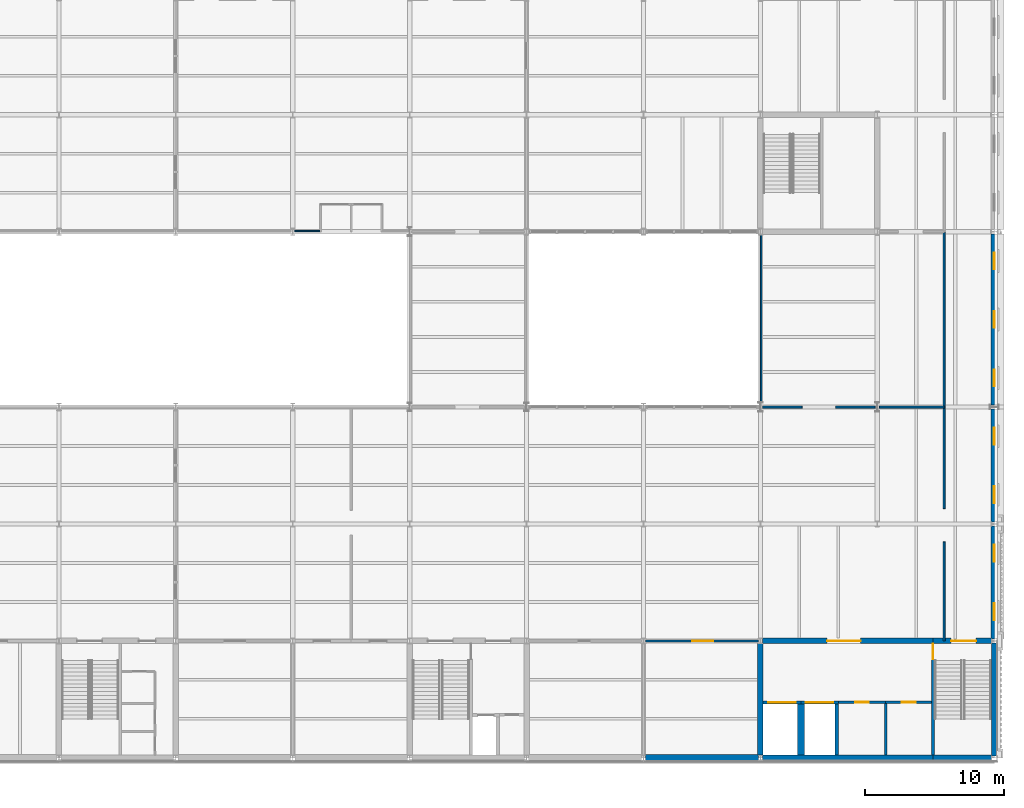
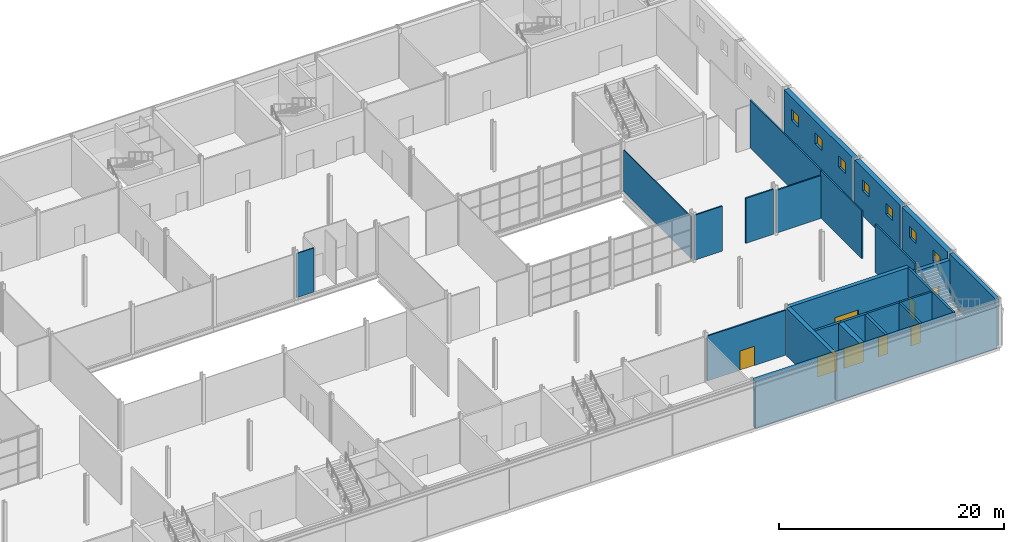
# One storey, part 33 of 57: 27 walls, 8 doors, 7 windows, 15 openings.
"""IFC4 building model written with IfcOpenShell, lengths in metres."""

from ifc_helpers import new_model, si_unit, direction, frame, frame_2d, origin, place, context, subcontext, project, spatial, rectangle, extrude, material, layer, layer_set, type_object, element, fill, save


model = new_model("IFC4")

# Units and contexts
model_context = context("Model", 3, precision=1e-05, world=origin(), true_north=direction((0.0, 1.0)))
body_context = subcontext(model_context, "Body", "Model", "MODEL_VIEW")
ifc_project = project(units=[si_unit("LENGTHUNIT", "METRE"), si_unit("AREAUNIT", "SQUARE_METRE"), si_unit("VOLUMEUNIT", "CUBIC_METRE"), si_unit("PLANEANGLEUNIT", "RADIAN"), si_unit("MASSUNIT", "GRAM", prefix="KILO")], contexts=[model_context])

# Site, building, storey
site_placement = place(None, origin())
site = spatial("IfcSite", under=ifc_project, at=site_placement, CompositionType="ELEMENT")
building_placement = place(site_placement, origin())
building = spatial("IfcBuilding", under=site, at=building_placement, Name="Galleria Vessillo Department Store", CompositionType="ELEMENT")
storey_placement = place(building_placement, frame((0.0, 0.0, 25.800048828125)))
storey = spatial("IfcBuildingStorey", under=building, at=storey_placement, Name="L05", CompositionType="ELEMENT", Elevation=25.800048828125)

# Walls
ifc_material_1 = material(Name="Fire-resisting glass in steel frame S355 J2", Category="steel")
ifc_layer_1 = layer(ifc_material_1, 0.10009765625)
ifc_layer_set_1 = layer_set([ifc_layer_1], Name="Fire-resisting glass in steel frame S355 J2")
wall_type_1 = type_object("IfcWallType", Name="Fire-resisting glazed screen EI 120-Sa 100 mm", PredefinedType="PARTITIONING", material=ifc_layer_set_1)
wall_1_placement = place(storey_placement, frame((67.35302734375, 37.85009765625, 0.0), z_axis=(0.0, 0.0, 1.0), x_axis=(1.0, 0.0, 0.0)))
element("IfcWall", 1, at=wall_1_placement, inside=storey, type_object=wall_type_1, Name="Fire screen, atrium edge L05", PredefinedType="PARTITIONING", context=body_context, shape_type="SweptSolid", body=[
    extrude(rectangle(XDim=1.797119140625, YDim=0.10009765625, at=frame_2d((0.8984375, 0.0))), origin(), (0.0, 0.0, 1.0), 4.809814453125),
])
wall_2_placement = place(storey_placement, frame((100.85009765625, 25.533935546875, 0.0), z_axis=(0.0, 0.0, 1.0), x_axis=(0.0, 1.0, 0.0)))
element("IfcWall", 2, at=wall_2_placement, inside=storey, type_object=wall_type_1, Name="Fire screen, arcade end L05", PredefinedType="PARTITIONING", context=body_context, shape_type="SweptSolid", body=[
    extrude(rectangle(XDim=12.027099609375, YDim=0.10009765625, at=frame_2d((6.013671875, 0.0))), origin(), (0.0, 0.0, 1.0), 4.510009765625),
])
ifc_material_2 = material(Name="Solid clay block masonry", Category="masonry")
ifc_layer_2 = layer(ifc_material_2, 0.5)
ifc_layer_set_2 = layer_set([ifc_layer_2], Name="Solid clay block masonry")
wall_type_2 = type_object("IfcWallType", Name="Lift shaft partition wall 500 mm", PredefinedType="SOLIDWALL", material=ifc_layer_set_2)
wall_3_placement = place(storey_placement, frame((103.699951171875, 0.199951171875, 0.0), z_axis=(0.0, 0.0, 1.0), x_axis=(0.0, 1.0, 0.0)))
element("IfcWall", 3, at=wall_3_placement, inside=storey, type_object=wall_type_2, Name="Lift shaft partition wall GL1 L05", PredefinedType="SOLIDWALL", context=body_context, shape_type="SweptSolid", body=[
    extrude(rectangle(XDim=3.650146484375, YDim=0.5, at=frame_2d((1.8251953125, 0.0))), origin(), (0.0, 0.0, 1.0), 5.199951171875),
])

# Wall, opening, door
ifc_material_3 = material(Name="Solid clay block masonry", Category="masonry")
ifc_layer_3 = layer(ifc_material_3, 0.25)
ifc_layer_set_3 = layer_set([ifc_layer_3], Name="Solid clay block masonry")
wall_type_3 = type_object("IfcWallType", Name="Lift shaft wall 250 mm", PredefinedType="SOLIDWALL", material=ifc_layer_set_3)
wall_4_placement = place(storey_placement, frame((101.0, 3.97509765625, 0.0), z_axis=(0.0, 0.0, 1.0), x_axis=(1.0, 0.0, 0.0)))
wall_4 = element("IfcWall", 4, at=wall_4_placement, inside=storey, type_object=wall_type_3, Name="Lift shaft wall GL1 landing side L05", PredefinedType="SOLIDWALL", context=body_context, shape_type="SweptSolid", body=[
    extrude(rectangle(XDim=2.699951171875, YDim=0.25, at=frame_2d((1.35009765625, 0.0))), origin(), (0.0, 0.0, 1.0), 5.199951171875),
])
opening_1_placement = place(wall_4_placement, frame((0.35009765625, 0.0, 0.0)))
opening_1 = element("IfcOpeningElement", 5, at=opening_1_placement, cuts=wall_4, Name="Opening LD063", PredefinedType="OPENING", context=body_context, shape_type="SweptSolid", body=[
    extrude(rectangle(XDim=2.0, YDim=2.199951171875, at=frame_2d((1.0, 1.10009765625))), frame((0.0, 0.135009765625, 0.0), z_axis=(0.0, -1.0, 0.0), x_axis=(1.0, 0.0, 0.0)), (0.0, 0.0, 1.0), 0.27001953125),
])
ifc_material_4 = material(Name="Stainless steel lift door panel", Category="steel")
door_type_1 = type_object("IfcDoorType", Name="Lift landing door LD200 sliding 2000 x 2200", OperationType="DOUBLE_DOOR_SLIDING", PredefinedType="DOOR", material=ifc_material_4)
door_1_placement = place(opening_1_placement, origin())
door_1 = element("IfcDoor", 6, at=door_1_placement, inside=storey, type_object=door_type_1, Name="Lift landing door GL1 L05", OperationType="DOUBLE_DOOR_SLIDING", OverallHeight=2.199951171875, OverallWidth=2.0, PredefinedType="DOOR", context=body_context, shape_type="SweptSolid", body=[
    extrude(rectangle(XDim=2.0, YDim=2.199951171875, at=frame_2d((1.0, 1.10009765625))), frame((0.0, 0.02490234375, 0.0), z_axis=(0.0, -1.0, 0.0), x_axis=(1.0, 0.0, 0.0)), (0.0, 0.0, 1.0), 0.050048828125),
])
fill(opening_1, door_1)

wall_5_placement = place(storey_placement, frame((103.699951171875, 3.97509765625, 0.0), z_axis=(0.0, 0.0, 1.0), x_axis=(1.0, 0.0, 0.0)))
wall_5 = element("IfcWall", 7, at=wall_5_placement, inside=storey, type_object=wall_type_3, Name="Lift shaft wall GL2 landing side L05", PredefinedType="SOLIDWALL", context=body_context, shape_type="SweptSolid", body=[
    extrude(rectangle(XDim=2.699951171875, YDim=0.25, at=frame_2d((1.35009765625, 0.0))), origin(), (0.0, 0.0, 1.0), 5.199951171875),
])
opening_2_placement = place(wall_5_placement, frame((0.35009765625, 0.0, 0.0)))
opening_2 = element("IfcOpeningElement", 8, at=opening_2_placement, cuts=wall_5, Name="Opening LD064", PredefinedType="OPENING", context=body_context, shape_type="SweptSolid", body=[
    extrude(rectangle(XDim=2.0, YDim=2.199951171875, at=frame_2d((1.0, 1.10009765625))), frame((0.0, 0.135009765625, 0.0), z_axis=(0.0, -1.0, 0.0), x_axis=(1.0, 0.0, 0.0)), (0.0, 0.0, 1.0), 0.27001953125),
])
door_2_placement = place(opening_2_placement, origin())
door_2 = element("IfcDoor", 9, at=door_2_placement, inside=storey, type_object=door_type_1, Name="Lift landing door GL2 L05", OperationType="DOUBLE_DOOR_SLIDING", OverallHeight=2.199951171875, OverallWidth=2.0, PredefinedType="DOOR", context=body_context, shape_type="SweptSolid", body=[
    extrude(rectangle(XDim=2.0, YDim=2.199951171875, at=frame_2d((1.0, 1.10009765625))), frame((0.0, 0.02490234375, 0.0), z_axis=(0.0, -1.0, 0.0), x_axis=(1.0, 0.0, 0.0)), (0.0, 0.0, 1.0), 0.050048828125),
])
fill(opening_2, door_2)

# Wall
wall_6_placement = place(storey_placement, frame((106.27490234375, 0.199951171875, 0.0), z_axis=(0.0, 0.0, 1.0), x_axis=(0.0, 1.0, 0.0)))
element("IfcWall", 10, at=wall_6_placement, inside=storey, type_object=wall_type_3, Name="Lift shaft wall GL2 L05", PredefinedType="SOLIDWALL", context=body_context, shape_type="SweptSolid", body=[
    extrude(rectangle(XDim=3.650146484375, YDim=0.25, at=frame_2d((1.8251953125, 0.0))), origin(), (0.0, 0.0, 1.0), 5.199951171875),
])

# Wall, openings, windows
ifc_material_5 = material(Name="Reinforced masonry, limestone units 80 MPa", Category="masonry")
ifc_layer_4 = layer(ifc_material_5, 0.5)
ifc_layer_set_4 = layer_set([ifc_layer_4], Name="Reinforced masonry, limestone units 80 MPa")
wall_type_4 = type_object("IfcWallType", Name="Load-bearing limestone-faced wall 500 mm", PredefinedType="STANDARD", material=ifc_layer_set_4)
wall_7_placement = place(storey_placement, frame((117.60009765625, 8.5498046875, 0.0), z_axis=(0.0, 0.0, 1.0), x_axis=(0.0, 1.0, 0.0)))
wall_7 = element("IfcWall", 11, at=wall_7_placement, inside=storey, type_object=wall_type_4, Name="Load-bearing limestone-faced wall 500 mm SE-L05-01", PredefinedType="STANDARD", context=body_context, shape_type="SweptSolid", body=[
    extrude(rectangle(XDim=8.100341796875, YDim=0.5, at=frame_2d((4.05029296875, 0.0))), origin(), (0.0, 0.0, 1.0), 5.199951171875),
])
opening_3_placement = place(wall_7_placement, frame((1.35009765625, 0.0, 2.699951171875)))
opening_3 = element("IfcOpeningElement", 12, at=opening_3_placement, cuts=wall_7, Name="Opening W080", PredefinedType="OPENING", context=body_context, shape_type="SweptSolid", body=[
    extrude(rectangle(XDim=1.199951171875, YDim=1.199951171875, at=frame_2d((0.60009765625, 0.60009765625))), frame((0.0, 0.260009765625, 0.0), z_axis=(0.0, -1.0, 0.0), x_axis=(1.0, 0.0, 0.0)), (0.0, 0.0, 1.0), 0.52001953125),
])
opening_4_placement = place(wall_7_placement, frame((5.55029296875, 0.0, 2.699951171875)))
opening_4 = element("IfcOpeningElement", 13, at=opening_4_placement, cuts=wall_7, Name="Opening W081", PredefinedType="OPENING", context=body_context, shape_type="SweptSolid", body=[
    extrude(rectangle(XDim=1.199951171875, YDim=1.199951171875, at=frame_2d((0.60009765625, 0.60009765625))), frame((0.0, 0.260009765625, 0.0), z_axis=(0.0, -1.0, 0.0), x_axis=(1.0, 0.0, 0.0)), (0.0, 0.0, 1.0), 0.52001953125),
])
ifc_material_6 = material(Name="Aluminium frame with laminated glass 44.2", Category="aluminium")
window_type = type_object("IfcWindowType", Name="Attic window 1200 x 1200", PartitioningType="SINGLE_PANEL", PredefinedType="WINDOW", material=ifc_material_6)
window_1_placement = place(opening_3_placement, origin())
window_1 = element("IfcWindow", 14, at=window_1_placement, inside=storey, type_object=window_type, Name="E-WIN-SE-L05-01-080", OverallHeight=1.199951171875, OverallWidth=1.199951171875, PartitioningType="SINGLE_PANEL", PredefinedType="WINDOW", context=body_context, shape_type="SweptSolid", body=[
    extrude(rectangle(XDim=1.199951171875, YDim=1.199951171875, at=frame_2d((0.60009765625, 0.60009765625))), frame((0.0, 0.030029296875, 0.0), z_axis=(0.0, -1.0, 0.0), x_axis=(1.0, 0.0, 0.0)), (0.0, 0.0, 1.0), 0.06005859375),
])
fill(opening_3, window_1)
window_2_placement = place(opening_4_placement, origin())
window_2 = element("IfcWindow", 15, at=window_2_placement, inside=storey, type_object=window_type, Name="E-WIN-SE-L05-01-081", OverallHeight=1.199951171875, OverallWidth=1.199951171875, PartitioningType="SINGLE_PANEL", PredefinedType="WINDOW", context=body_context, shape_type="SweptSolid", body=[
    extrude(rectangle(XDim=1.199951171875, YDim=1.199951171875, at=frame_2d((0.60009765625, 0.60009765625))), frame((0.0, 0.030029296875, 0.0), z_axis=(0.0, -1.0, 0.0), x_axis=(1.0, 0.0, 0.0)), (0.0, 0.0, 1.0), 0.06005859375),
])
fill(opening_4, window_2)

wall_8_placement = place(storey_placement, frame((117.60009765625, 16.949951171875, 0.0), z_axis=(0.0, 0.0, 1.0), x_axis=(0.0, 1.0, 0.0)))
wall_8 = element("IfcWall", 16, at=wall_8_placement, inside=storey, type_object=wall_type_4, Name="Load-bearing limestone-faced wall 500 mm SE-L05-02", PredefinedType="STANDARD", context=body_context, shape_type="SweptSolid", body=[
    extrude(rectangle(XDim=8.097412109375, YDim=0.5, at=frame_2d((4.048828125, 0.0))), origin(), (0.0, 0.0, 1.0), 5.199951171875),
])
opening_5_placement = place(wall_8_placement, frame((1.35009765625, 0.0, 2.699951171875)))
opening_5 = element("IfcOpeningElement", 17, at=opening_5_placement, cuts=wall_8, Name="Opening W082", PredefinedType="OPENING", context=body_context, shape_type="SweptSolid", body=[
    extrude(rectangle(XDim=1.199951171875, YDim=1.199951171875, at=frame_2d((0.60009765625, 0.60009765625))), frame((0.0, 0.260009765625, 0.0), z_axis=(0.0, -1.0, 0.0), x_axis=(1.0, 0.0, 0.0)), (0.0, 0.0, 1.0), 0.52001953125),
])
opening_6_placement = place(wall_8_placement, frame((5.550048828125, 0.0, 2.699951171875)))
opening_6 = element("IfcOpeningElement", 18, at=opening_6_placement, cuts=wall_8, Name="Opening W083", PredefinedType="OPENING", context=body_context, shape_type="SweptSolid", body=[
    extrude(rectangle(XDim=1.199951171875, YDim=1.199951171875, at=frame_2d((0.60009765625, 0.60009765625))), frame((0.0, 0.260009765625, 0.0), z_axis=(0.0, -1.0, 0.0), x_axis=(1.0, 0.0, 0.0)), (0.0, 0.0, 1.0), 0.52001953125),
])
window_3_placement = place(opening_5_placement, origin())
window_3 = element("IfcWindow", 19, at=window_3_placement, inside=storey, type_object=window_type, Name="E-WIN-SE-L05-02-082", OverallHeight=1.199951171875, OverallWidth=1.199951171875, PartitioningType="SINGLE_PANEL", PredefinedType="WINDOW", context=body_context, shape_type="SweptSolid", body=[
    extrude(rectangle(XDim=1.199951171875, YDim=1.199951171875, at=frame_2d((0.60009765625, 0.60009765625))), frame((0.0, 0.030029296875, 0.0), z_axis=(0.0, -1.0, 0.0), x_axis=(1.0, 0.0, 0.0)), (0.0, 0.0, 1.0), 0.06005859375),
])
fill(opening_5, window_3)
window_4_placement = place(opening_6_placement, origin())
window_4 = element("IfcWindow", 20, at=window_4_placement, inside=storey, type_object=window_type, Name="E-WIN-SE-L05-02-083", OverallHeight=1.199951171875, OverallWidth=1.199951171875, PartitioningType="SINGLE_PANEL", PredefinedType="WINDOW", context=body_context, shape_type="SweptSolid", body=[
    extrude(rectangle(XDim=1.199951171875, YDim=1.199951171875, at=frame_2d((0.60009765625, 0.60009765625))), frame((0.0, 0.030029296875, 0.0), z_axis=(0.0, -1.0, 0.0), x_axis=(1.0, 0.0, 0.0)), (0.0, 0.0, 1.0), 0.06005859375),
])
fill(opening_6, window_4)

wall_9_placement = place(storey_placement, frame((117.60009765625, 25.3525390625, 0.0), z_axis=(0.0, 0.0, 1.0), x_axis=(0.0, 1.0, 0.0)))
wall_9 = element("IfcWall", 21, at=wall_9_placement, inside=storey, type_object=wall_type_4, Name="Load-bearing limestone-faced wall 500 mm SE-L05-03", PredefinedType="STANDARD", context=body_context, shape_type="SweptSolid", body=[
    extrude(rectangle(XDim=12.2939453125, YDim=0.5, at=frame_2d((6.14697265625, 0.0))), origin(), (0.0, 0.0, 1.0), 5.199951171875),
])
opening_7_placement = place(wall_9_placement, frame((1.347412109375, 0.0, 2.699951171875)))
opening_7 = element("IfcOpeningElement", 22, at=opening_7_placement, cuts=wall_9, Name="Opening W084", PredefinedType="OPENING", context=body_context, shape_type="SweptSolid", body=[
    extrude(rectangle(XDim=1.199951171875, YDim=1.199951171875, at=frame_2d((0.60009765625, 0.60009765625))), frame((0.0, 0.260009765625, 0.0), z_axis=(0.0, -1.0, 0.0), x_axis=(1.0, 0.0, 0.0)), (0.0, 0.0, 1.0), 0.52001953125),
])
opening_8_placement = place(wall_9_placement, frame((5.54736328125, 0.0, 2.699951171875)))
opening_8 = element("IfcOpeningElement", 23, at=opening_8_placement, cuts=wall_9, Name="Opening W085", PredefinedType="OPENING", context=body_context, shape_type="SweptSolid", body=[
    extrude(rectangle(XDim=1.199951171875, YDim=1.199951171875, at=frame_2d((0.60009765625, 0.60009765625))), frame((0.0, 0.260009765625, 0.0), z_axis=(0.0, -1.0, 0.0), x_axis=(1.0, 0.0, 0.0)), (0.0, 0.0, 1.0), 0.52001953125),
])
opening_9_placement = place(wall_9_placement, frame((9.74755859375, 0.0, 2.699951171875)))
opening_9 = element("IfcOpeningElement", 24, at=opening_9_placement, cuts=wall_9, Name="Opening W086", PredefinedType="OPENING", context=body_context, shape_type="SweptSolid", body=[
    extrude(rectangle(XDim=1.199951171875, YDim=1.199951171875, at=frame_2d((0.60009765625, 0.60009765625))), frame((0.0, 0.260009765625, 0.0), z_axis=(0.0, -1.0, 0.0), x_axis=(1.0, 0.0, 0.0)), (0.0, 0.0, 1.0), 0.52001953125),
])
window_5_placement = place(opening_7_placement, origin())
window_5 = element("IfcWindow", 25, at=window_5_placement, inside=storey, type_object=window_type, Name="E-WIN-SE-L05-03-084", OverallHeight=1.199951171875, OverallWidth=1.199951171875, PartitioningType="SINGLE_PANEL", PredefinedType="WINDOW", context=body_context, shape_type="SweptSolid", body=[
    extrude(rectangle(XDim=1.199951171875, YDim=1.199951171875, at=frame_2d((0.60009765625, 0.60009765625))), frame((0.0, 0.030029296875, 0.0), z_axis=(0.0, -1.0, 0.0), x_axis=(1.0, 0.0, 0.0)), (0.0, 0.0, 1.0), 0.06005859375),
])
fill(opening_7, window_5)
window_6_placement = place(opening_8_placement, origin())
window_6 = element("IfcWindow", 26, at=window_6_placement, inside=storey, type_object=window_type, Name="E-WIN-SE-L05-03-085", OverallHeight=1.199951171875, OverallWidth=1.199951171875, PartitioningType="SINGLE_PANEL", PredefinedType="WINDOW", context=body_context, shape_type="SweptSolid", body=[
    extrude(rectangle(XDim=1.199951171875, YDim=1.199951171875, at=frame_2d((0.60009765625, 0.60009765625))), frame((0.0, 0.030029296875, 0.0), z_axis=(0.0, -1.0, 0.0), x_axis=(1.0, 0.0, 0.0)), (0.0, 0.0, 1.0), 0.06005859375),
])
fill(opening_8, window_6)
window_7_placement = place(opening_9_placement, origin())
window_7 = element("IfcWindow", 27, at=window_7_placement, inside=storey, type_object=window_type, Name="E-WIN-SE-L05-03-086", OverallHeight=1.199951171875, OverallWidth=1.199951171875, PartitioningType="SINGLE_PANEL", PredefinedType="WINDOW", context=body_context, shape_type="SweptSolid", body=[
    extrude(rectangle(XDim=1.199951171875, YDim=1.199951171875, at=frame_2d((0.60009765625, 0.60009765625))), frame((0.0, 0.030029296875, 0.0), z_axis=(0.0, -1.0, 0.0), x_axis=(1.0, 0.0, 0.0)), (0.0, 0.0, 1.0), 0.06005859375),
])
fill(opening_9, window_7)

# Wall, opening, door
ifc_material_7 = material(Name="Concrete C32/40 reinforced", Category="concrete")
ifc_layer_5 = layer(ifc_material_7, 0.39990234375)
ifc_layer_set_5 = layer_set([ifc_layer_5], Name="Concrete C32/40 reinforced")
wall_type_5 = type_object("IfcWallType", Name="Reinforced concrete core wall 400 mm", PredefinedType="SHEAR", material=ifc_layer_set_5)
wall_10_placement = place(storey_placement, frame((100.949951171875, 8.39990234375, 0.0), z_axis=(0.0, 0.0, 1.0), x_axis=(1.0, 0.0, 0.0)))
wall_10 = element("IfcWall", 28, at=wall_10_placement, inside=storey, type_object=wall_type_5, Name="S-CW-GC-INTERIOR-L05-1", PredefinedType="SHEAR", context=body_context, shape_type="SweptSolid", body=[
    extrude(rectangle(XDim=12.25, YDim=0.39990234375, at=frame_2d((6.125, 0.0))), origin(), (0.0, 0.0, 1.0), 5.199951171875),
])
opening_10_placement = place(wall_10_placement, frame((4.64990234375, 0.0, 0.0)))
opening_10 = element("IfcOpeningElement", 29, at=opening_10_placement, cuts=wall_10, Name="Opening D5258", PredefinedType="OPENING", context=body_context, shape_type="SweptSolid", body=[
    extrude(rectangle(XDim=2.39990234375, YDim=2.39990234375, at=frame_2d((1.199951171875, 1.199951171875))), frame((0.0, 0.2099609375, 0.0), z_axis=(0.0, -1.0, 0.0), x_axis=(1.0, 0.0, 0.0)), (0.0, 0.0, 1.0), 0.419921875),
])
ifc_material_8 = material(Name="Fire-rated steel door leaf", Category="steel")
door_type_2 = type_object("IfcDoorType", Name="Door D240F double leaf 2400 x 2400", OperationType="DOUBLE_DOOR_SINGLE_SWING", PredefinedType="DOOR", material=ifc_material_8)
door_3_placement = place(opening_10_placement, frame((2.39990234375, 0.0, 0.0), z_axis=(0.0, 0.0, 1.0), x_axis=(-1.0, 0.0, 0.0)))
door_3 = element("IfcDoor", 30, at=door_3_placement, inside=storey, type_object=door_type_2, Name="Lobby door GC-DOCK L05", OperationType="DOUBLE_DOOR_SINGLE_SWING", OverallHeight=2.39990234375, OverallWidth=2.39990234375, PredefinedType="DOOR", context=body_context, shape_type="SweptSolid", body=[
    extrude(rectangle(XDim=2.39990234375, YDim=2.39990234375, at=frame_2d((1.199951171875, 1.199951171875))), frame((0.0, 0.02490234375, 0.0), z_axis=(0.0, -1.0, 0.0), x_axis=(1.0, 0.0, 0.0)), (0.0, 0.0, 1.0), 0.050048828125),
])
fill(opening_10, door_3)

wall_11_placement = place(storey_placement, frame((113.199951171875, 8.39990234375, 0.0), z_axis=(0.0, 0.0, 1.0), x_axis=(1.0, 0.0, 0.0)))
wall_11 = element("IfcWall", 31, at=wall_11_placement, inside=storey, type_object=wall_type_5, Name="S-CW-GC-INTERIOR-L05-2", PredefinedType="SHEAR", context=body_context, shape_type="SweptSolid", body=[
    extrude(rectangle(XDim=4.2001953125, YDim=0.39990234375, at=frame_2d((2.10009765625, 0.0))), origin(), (0.0, 0.0, 1.0), 4.510009765625),
])
opening_11_placement = place(wall_11_placement, frame((1.300048828125, 0.0, 0.0)))
opening_11 = element("IfcOpeningElement", 32, at=opening_11_placement, cuts=wall_11, Name="Opening D5257", PredefinedType="OPENING", context=body_context, shape_type="SweptSolid", body=[
    extrude(rectangle(XDim=1.800048828125, YDim=2.10009765625, at=frame_2d((0.89990234375, 1.050048828125))), frame((0.0, 0.2099609375, 0.0), z_axis=(0.0, -1.0, 0.0), x_axis=(1.0, 0.0, 0.0)), (0.0, 0.0, 1.0), 0.419921875),
])
ifc_material_9 = material(Name="Fire-rated steel door leaf", Category="steel")
door_type_3 = type_object("IfcDoorType", Name="Door D180F double leaf 1800 x 2100", OperationType="DOUBLE_DOOR_SINGLE_SWING", PredefinedType="DOOR", material=ifc_material_9)
door_4_placement = place(opening_11_placement, frame((1.800048828125, 0.0, 0.0), z_axis=(0.0, 0.0, 1.0), x_axis=(-1.0, 0.0, 0.0)))
door_4 = element("IfcDoor", 33, at=door_4_placement, inside=storey, type_object=door_type_3, Name="Lobby door GC-ST7-FLOOR L05", OperationType="DOUBLE_DOOR_SINGLE_SWING", OverallHeight=2.10009765625, OverallWidth=1.800048828125, PredefinedType="DOOR", context=body_context, shape_type="SweptSolid", body=[
    extrude(rectangle(XDim=1.800048828125, YDim=2.10009765625, at=frame_2d((0.89990234375, 1.050048828125))), frame((0.0, 0.02490234375, 0.0), z_axis=(0.0, -1.0, 0.0), x_axis=(1.0, 0.0, 0.0)), (0.0, 0.0, 1.0), 0.050048828125),
])
fill(opening_11, door_4)

# Walls
wall_12_placement = place(storey_placement, frame((100.800048828125, 0.199951171875, 0.0), z_axis=(0.0, 0.0, 1.0), x_axis=(0.0, 1.0, 0.0)))
element("IfcWall", 34, at=wall_12_placement, inside=storey, type_object=wall_type_5, Name="S-CW-GC-WEST-L05", PredefinedType="SHEAR", context=body_context, shape_type="SweptSolid", body=[
    extrude(rectangle(XDim=8.0, YDim=0.39990234375, at=frame_2d((4.0, 0.0))), origin(), (0.0, 0.0, 1.0), 5.199951171875),
])
ifc_material_10 = material(Name="Concrete C32/40 reinforced", Category="concrete")
ifc_layer_6 = layer(ifc_material_10, 0.39990234375)
ifc_layer_set_6 = layer_set([ifc_layer_6], Name="Concrete C32/40 reinforced")
wall_type_6 = type_object("IfcWallType", Name="Reinforced concrete core wall 400 mm, external", PredefinedType="SHEAR", material=ifc_layer_set_6)
wall_13_placement = place(storey_placement, frame((100.949951171875, 0.0, 0.0), z_axis=(0.0, 0.0, 1.0), x_axis=(1.0, 0.0, 0.0)))
element("IfcWall", 35, at=wall_13_placement, inside=storey, type_object=wall_type_6, Name="S-CW-GC-PARTY-L05-1", PredefinedType="SHEAR", context=body_context, shape_type="SweptSolid", body=[
    extrude(rectangle(XDim=12.25, YDim=0.39990234375, at=frame_2d((6.125, 0.0))), origin(), (0.0, 0.0, 1.0), 5.199951171875),
])
wall_14_placement = place(storey_placement, frame((113.199951171875, 0.0, 0.0), z_axis=(0.0, 0.0, 1.0), x_axis=(1.0, 0.0, 0.0)))
element("IfcWall", 36, at=wall_14_placement, inside=storey, type_object=wall_type_6, Name="S-CW-GC-PARTY-L05-2", PredefinedType="SHEAR", context=body_context, shape_type="SweptSolid", body=[
    extrude(rectangle(XDim=4.2001953125, YDim=0.39990234375, at=frame_2d((2.10009765625, 0.0))), origin(), (0.0, 0.0, 1.0), 4.510009765625),
])
wall_15_placement = place(storey_placement, frame((117.60009765625, 0.14990234375, 0.0), z_axis=(0.0, 0.0, 1.0), x_axis=(0.0, 1.0, 0.0)))
element("IfcWall", 37, at=wall_15_placement, inside=storey, type_object=wall_type_6, Name="S-CW-GC-EAST-L05", PredefinedType="SHEAR", context=body_context, shape_type="SweptSolid", body=[
    extrude(rectangle(XDim=8.10009765625, YDim=0.39990234375, at=frame_2d((4.050048828125, 0.0))), origin(), (0.0, 0.0, 1.0), 5.199951171875),
])
ifc_material_11 = material(Name="Concrete C32/40 reinforced", Category="concrete")
ifc_layer_7 = layer(ifc_material_11, 0.5)
ifc_layer_set_7 = layer_set([ifc_layer_7], Name="Concrete C32/40 reinforced")
wall_type_7 = type_object("IfcWallType", Name="Reinforced concrete party wall 500 mm", PredefinedType="SHEAR", material=ifc_layer_set_7)
wall_16_placement = place(storey_placement, frame((92.5498046875, 0.0, 0.0), z_axis=(0.0, 0.0, 1.0), x_axis=(1.0, 0.0, 0.0)))
element("IfcWall", 38, at=wall_16_placement, inside=storey, type_object=wall_type_7, Name="S-PS-L05-08", PredefinedType="SHEAR", context=body_context, shape_type="SweptSolid", body=[
    extrude(rectangle(XDim=8.100341796875, YDim=0.5, at=frame_2d((4.05029296875, 0.0))), origin(), (0.0, 0.0, 1.0), 5.199951171875),
])

# Wall, opening, door
ifc_material_12 = material(Name="Concrete C32/40 reinforced", Category="concrete")
ifc_layer_8 = layer(ifc_material_12, 0.199951171875)
ifc_layer_set_8 = layer_set([ifc_layer_8], Name="Concrete C32/40 reinforced")
wall_type_8 = type_object("IfcWallType", Name="Reinforced concrete stair enclosure wall 200 mm", PredefinedType="SHEAR", material=ifc_layer_set_8)
wall_17_placement = place(storey_placement, frame((113.199951171875, 0.199951171875, 0.0), z_axis=(0.0, 0.0, 1.0), x_axis=(0.0, 1.0, 0.0)))
wall_17 = element("IfcWall", 39, at=wall_17_placement, inside=storey, type_object=wall_type_8, Name="Stair enclosure wall GC L05", PredefinedType="SHEAR", context=body_context, shape_type="SweptSolid", body=[
    extrude(rectangle(XDim=8.0, YDim=0.199951171875, at=frame_2d((4.0, 0.0))), origin(), (0.0, 0.0, 1.0), 5.199951171875),
])
opening_12_placement = place(wall_17_placement, frame((6.89990234375, 0.0, 0.0)))
opening_12 = element("IfcOpeningElement", 40, at=opening_12_placement, cuts=wall_17, Name="Opening D5254", PredefinedType="OPENING", context=body_context, shape_type="SweptSolid", body=[
    extrude(rectangle(XDim=1.11009765625, YDim=2.10009765625, at=frame_2d((0.554931640625, 1.050048828125))), frame((0.0, 0.10986328125, 0.0), z_axis=(0.0, -1.0, 0.0), x_axis=(1.0, 0.0, 0.0)), (0.0, 0.0, 1.0), 0.219970703125),
])
ifc_material_13 = material(Name="Fire-rated steel door leaf", Category="steel")
door_type_4 = type_object("IfcDoorType", Name="Door D110F stair door 1100 x 2100", OperationType="SINGLE_SWING_LEFT", PredefinedType="DOOR", material=ifc_material_13)
door_5_placement = place(opening_12_placement, frame((1.10009765625, 0.0, 0.0), z_axis=(0.0, 0.0, 1.0), x_axis=(-1.0, 0.0, 0.0)))
door_5 = element("IfcDoor", 41, at=door_5_placement, inside=storey, type_object=door_type_4, Name="Stair door GC-ST7-LOBBY L05", OperationType="SINGLE_SWING_LEFT", OverallHeight=2.10009765625, OverallWidth=1.10009765625, PredefinedType="DOOR", context=body_context, shape_type="SweptSolid", body=[
    extrude(rectangle(XDim=1.10009765625, YDim=2.10009765625, at=frame_2d((0.550048828125, 1.050048828125))), frame((0.0, 0.02490234375, 0.0), z_axis=(0.0, -1.0, 0.0), x_axis=(1.0, 0.0, 0.0)), (0.0, 0.0, 1.0), 0.050048828125),
])
fill(opening_12, door_5)

ifc_material_14 = material(Name="Hollow clay block masonry", Category="masonry")
ifc_layer_9 = layer(ifc_material_14, 0.199951171875)
ifc_layer_set_9 = layer_set([ifc_layer_9], Name="Hollow clay block masonry")
wall_type_9 = type_object("IfcWallType", Name="Riser and service room wall 200 mm", PredefinedType="PARTITIONING", material=ifc_layer_set_9)
wall_18_placement = place(storey_placement, frame((106.39990234375, 4.0, 0.0), z_axis=(0.0, 0.0, 1.0), x_axis=(1.0, 0.0, 0.0)))
wall_18 = element("IfcWall", 42, at=wall_18_placement, inside=storey, type_object=wall_type_9, Name="Service room wall GC-SERVICE-1 L05", PredefinedType="PARTITIONING", context=body_context, shape_type="SweptSolid", body=[
    extrude(rectangle(XDim=3.400146484375, YDim=0.199951171875, at=frame_2d((1.7001953125, 0.0))), origin(), (0.0, 0.0, 1.0), 5.199951171875),
])
opening_13_placement = place(wall_18_placement, frame((1.2001953125, 0.0, 0.0)))
opening_13 = element("IfcOpeningElement", 43, at=opening_13_placement, cuts=wall_18, Name="Opening D5255", PredefinedType="OPENING", context=body_context, shape_type="SweptSolid", body=[
    extrude(rectangle(XDim=1.0, YDim=2.10009765625, at=frame_2d((0.5, 1.050048828125))), frame((0.0, 0.10986328125, 0.0), z_axis=(0.0, -1.0, 0.0), x_axis=(1.0, 0.0, 0.0)), (0.0, 0.0, 1.0), 0.219970703125),
])
ifc_material_15 = material(Name="Fire-rated steel door leaf", Category="steel")
door_type_5 = type_object("IfcDoorType", Name="Door D100 service room 1000 x 2100", OperationType="SINGLE_SWING_LEFT", PredefinedType="DOOR", material=ifc_material_15)
door_6_placement = place(opening_13_placement, frame((1.0, 0.0, 0.0), z_axis=(0.0, 0.0, 1.0), x_axis=(-1.0, 0.0, 0.0)))
door_6 = element("IfcDoor", 44, at=door_6_placement, inside=storey, type_object=door_type_5, Name="Service room door GC-SERVICE-1 L05", OperationType="SINGLE_SWING_LEFT", OverallHeight=2.10009765625, OverallWidth=1.0, PredefinedType="DOOR", context=body_context, shape_type="SweptSolid", body=[
    extrude(rectangle(XDim=1.0, YDim=2.10009765625, at=frame_2d((0.5, 1.050048828125))), frame((0.0, 0.02490234375, 0.0), z_axis=(0.0, -1.0, 0.0), x_axis=(1.0, 0.0, 0.0)), (0.0, 0.0, 1.0), 0.050048828125),
])
fill(opening_13, door_6)

# Wall
wall_19_placement = place(storey_placement, frame((109.800048828125, 0.199951171875, 0.0), z_axis=(0.0, 0.0, 1.0), x_axis=(0.0, 1.0, 0.0)))
element("IfcWall", 45, at=wall_19_placement, inside=storey, type_object=wall_type_9, Name="Service room partition GC L05", PredefinedType="PARTITIONING", context=body_context, shape_type="SweptSolid", body=[
    extrude(rectangle(XDim=3.7001953125, YDim=0.199951171875, at=frame_2d((1.85009765625, 0.0))), origin(), (0.0, 0.0, 1.0), 5.199951171875),
])

# Wall, opening, door
wall_20_placement = place(storey_placement, frame((109.800048828125, 4.0, 0.0), z_axis=(0.0, 0.0, 1.0), x_axis=(1.0, 0.0, 0.0)))
wall_20 = element("IfcWall", 46, at=wall_20_placement, inside=storey, type_object=wall_type_9, Name="Service room wall GC-SERVICE-2 L05", PredefinedType="PARTITIONING", context=body_context, shape_type="SweptSolid", body=[
    extrude(rectangle(XDim=3.300048828125, YDim=0.199951171875, at=frame_2d((1.64990234375, 0.0))), origin(), (0.0, 0.0, 1.0), 5.199951171875),
])
opening_14_placement = place(wall_20_placement, frame((1.14990234375, 0.0, 0.0)))
opening_14 = element("IfcOpeningElement", 47, at=opening_14_placement, cuts=wall_20, Name="Opening D5256", PredefinedType="OPENING", context=body_context, shape_type="SweptSolid", body=[
    extrude(rectangle(XDim=1.0, YDim=2.10009765625, at=frame_2d((0.5, 1.050048828125))), frame((0.0, 0.10986328125, 0.0), z_axis=(0.0, -1.0, 0.0), x_axis=(1.0, 0.0, 0.0)), (0.0, 0.0, 1.0), 0.219970703125),
])
door_7_placement = place(opening_14_placement, frame((1.0, 0.0, 0.0), z_axis=(0.0, 0.0, 1.0), x_axis=(-1.0, 0.0, 0.0)))
door_7 = element("IfcDoor", 48, at=door_7_placement, inside=storey, type_object=door_type_5, Name="Service room door GC-SERVICE-2 L05", OperationType="SINGLE_SWING_RIGHT", OverallHeight=2.10009765625, OverallWidth=1.0, PredefinedType="DOOR", context=body_context, shape_type="SweptSolid", body=[
    extrude(rectangle(XDim=1.0, YDim=2.10009765625, at=frame_2d((0.5, 1.050048828125))), frame((0.0, 0.02490234375, 0.0), z_axis=(0.0, -1.0, 0.0), x_axis=(1.0, 0.0, 0.0)), (0.0, 0.0, 1.0), 0.050048828125),
])
fill(opening_14, door_7)

# Walls
ifc_material_16 = material(Name="Gypsum board partition")
ifc_layer_10 = layer(ifc_material_16, 0.139892578125)
ifc_layer_set_10 = layer_set([ifc_layer_10], Name="Gypsum board partition")
wall_type_10 = type_object("IfcWallType", Name="Sales dividing wall 140 mm", PredefinedType="PARTITIONING", material=ifc_layer_set_10)
wall_21_placement = place(storey_placement, frame((100.95263671875, 25.199951171875, 0.0), z_axis=(0.0, 0.0, 1.0), x_axis=(1.0, 0.0, 0.0)))
element("IfcWall", 49, at=wall_21_placement, inside=storey, type_object=wall_type_10, Name="Partition wall PT3 on L05 no. 051", PredefinedType="PARTITIONING", context=body_context, shape_type="SweptSolid", body=[
    extrude(rectangle(XDim=2.849853515625, YDim=0.139892578125, at=frame_2d((1.4248046875, 0.0))), origin(), (0.0, 0.0, 1.0), 4.889892578125),
])
wall_22_placement = place(storey_placement, frame((106.20263671875, 25.199951171875, 0.0), z_axis=(0.0, 0.0, 1.0), x_axis=(1.0, 0.0, 0.0)))
element("IfcWall", 50, at=wall_22_placement, inside=storey, type_object=wall_type_10, Name="Partition wall PT3 on L05 no. 052", PredefinedType="PARTITIONING", context=body_context, shape_type="SweptSolid", body=[
    extrude(rectangle(XDim=2.8447265625, YDim=0.139892578125, at=frame_2d((1.42236328125, 0.0))), origin(), (0.0, 0.0, 1.0), 4.889892578125),
])
wall_23_placement = place(storey_placement, frame((109.3525390625, 25.199951171875, 0.0), z_axis=(0.0, 0.0, 1.0), x_axis=(1.0, 0.0, 0.0)))
element("IfcWall", 51, at=wall_23_placement, inside=storey, type_object=wall_type_10, Name="Partition wall PT3 on L05 no. 053", PredefinedType="PARTITIONING", context=body_context, shape_type="SweptSolid", body=[
    extrude(rectangle(XDim=4.6474609375, YDim=0.139892578125, at=frame_2d((2.32373046875, 0.0))), origin(), (0.0, 0.0, 1.0), 4.659912109375),
])
wall_24_placement = place(storey_placement, frame((114.0, 8.409912109375, 0.0), z_axis=(0.0, 0.0, 1.0), x_axis=(0.0, 1.0, 0.0)))
element("IfcWall", 52, at=wall_24_placement, inside=storey, type_object=wall_type_10, Name="Partition wall PT3 on L05 no. 054", PredefinedType="PARTITIONING", context=body_context, shape_type="SweptSolid", body=[
    extrude(rectangle(XDim=7.10009765625, YDim=0.139892578125, at=frame_2d((3.550048828125, 0.0))), origin(), (0.0, 0.0, 1.0), 5.199951171875),
])
wall_25_placement = place(storey_placement, frame((114.0, 17.909912109375, 0.0), z_axis=(0.0, 0.0, 1.0), x_axis=(0.0, 1.0, 0.0)))
element("IfcWall", 53, at=wall_25_placement, inside=storey, type_object=wall_type_10, Name="Partition wall PT3 on L05 no. 055", PredefinedType="PARTITIONING", context=body_context, shape_type="SweptSolid", body=[
    extrude(rectangle(XDim=7.2900390625, YDim=0.139892578125, at=frame_2d((3.64501953125, 0.0))), origin(), (0.0, 0.0, 1.0), 5.199951171875),
])
wall_26_placement = place(storey_placement, frame((114.0, 25.199951171875, 0.0), z_axis=(0.0, 0.0, 1.0), x_axis=(0.0, 1.0, 0.0)))
element("IfcWall", 54, at=wall_26_placement, inside=storey, type_object=wall_type_10, Name="Partition wall PT3 on L05 no. 075", PredefinedType="PARTITIONING", context=body_context, shape_type="SweptSolid", body=[
    extrude(rectangle(XDim=12.60009765625, YDim=0.139892578125, at=frame_2d((6.300048828125, 0.0))), origin(), (0.0, 0.0, 1.0), 5.199951171875),
])

# Wall, opening, door
ifc_material_17 = material(Name="Concrete blockwork", Category="masonry")
ifc_layer_11 = layer(ifc_material_17, 0.14990234375)
ifc_layer_set_11 = layer_set([ifc_layer_11], Name="Concrete blockwork")
wall_type_11 = type_object("IfcWallType", Name="Stockroom blockwork wall 150 mm", PredefinedType="SOLIDWALL", material=ifc_layer_set_11)
wall_27_placement = place(storey_placement, frame((92.5498046875, 8.39990234375, 0.0), z_axis=(0.0, 0.0, 1.0), x_axis=(1.0, 0.0, 0.0)))
wall_27 = element("IfcWall", 55, at=wall_27_placement, inside=storey, type_object=wall_type_11, Name="Partition wall PT4 on L05 no. 023", PredefinedType="SOLIDWALL", context=body_context, shape_type="SweptSolid", body=[
    extrude(rectangle(XDim=8.100341796875, YDim=0.14990234375, at=frame_2d((4.05029296875, 0.0))), origin(), (0.0, 0.0, 1.0), 4.889892578125),
])
opening_15_placement = place(wall_27_placement, frame((3.35009765625, 0.0, 0.0)))
opening_15 = element("IfcOpeningElement", 56, at=opening_15_placement, cuts=wall_27, Name="Opening D2714", PredefinedType="OPENING", context=body_context, shape_type="SweptSolid", body=[
    extrude(rectangle(XDim=1.5, YDim=2.10009765625, at=frame_2d((0.75, 1.050048828125))), frame((0.0, 0.0849609375, 0.0), z_axis=(0.0, -1.0, 0.0), x_axis=(1.0, 0.0, 0.0)), (0.0, 0.0, 1.0), 0.169921875),
])
ifc_material_18 = material(Name="Steel fire door leaf", Category="steel")
door_type_6 = type_object("IfcDoorType", Name="Stockroom fire door 1500 double leaf", OperationType="DOUBLE_DOOR_SINGLE_SWING", PredefinedType="DOOR", material=ifc_material_18)
door_8_placement = place(opening_15_placement, frame((1.5, 0.0, 0.0), z_axis=(0.0, 0.0, 1.0), x_axis=(-1.0, 0.0, 0.0)))
door_8 = element("IfcDoor", 57, at=door_8_placement, inside=storey, type_object=door_type_6, Name="Door D2714", OperationType="DOUBLE_DOOR_SINGLE_SWING", OverallHeight=2.10009765625, OverallWidth=1.5, PredefinedType="DOOR", context=body_context, shape_type="SweptSolid", body=[
    extrude(rectangle(XDim=1.5, YDim=2.10009765625, at=frame_2d((0.75, 1.050048828125))), frame((0.0, 0.02490234375, 0.0), z_axis=(0.0, -1.0, 0.0), x_axis=(1.0, 0.0, 0.0)), (0.0, 0.0, 1.0), 0.050048828125),
])
fill(opening_15, door_8)

save(model, "model.ifc")
